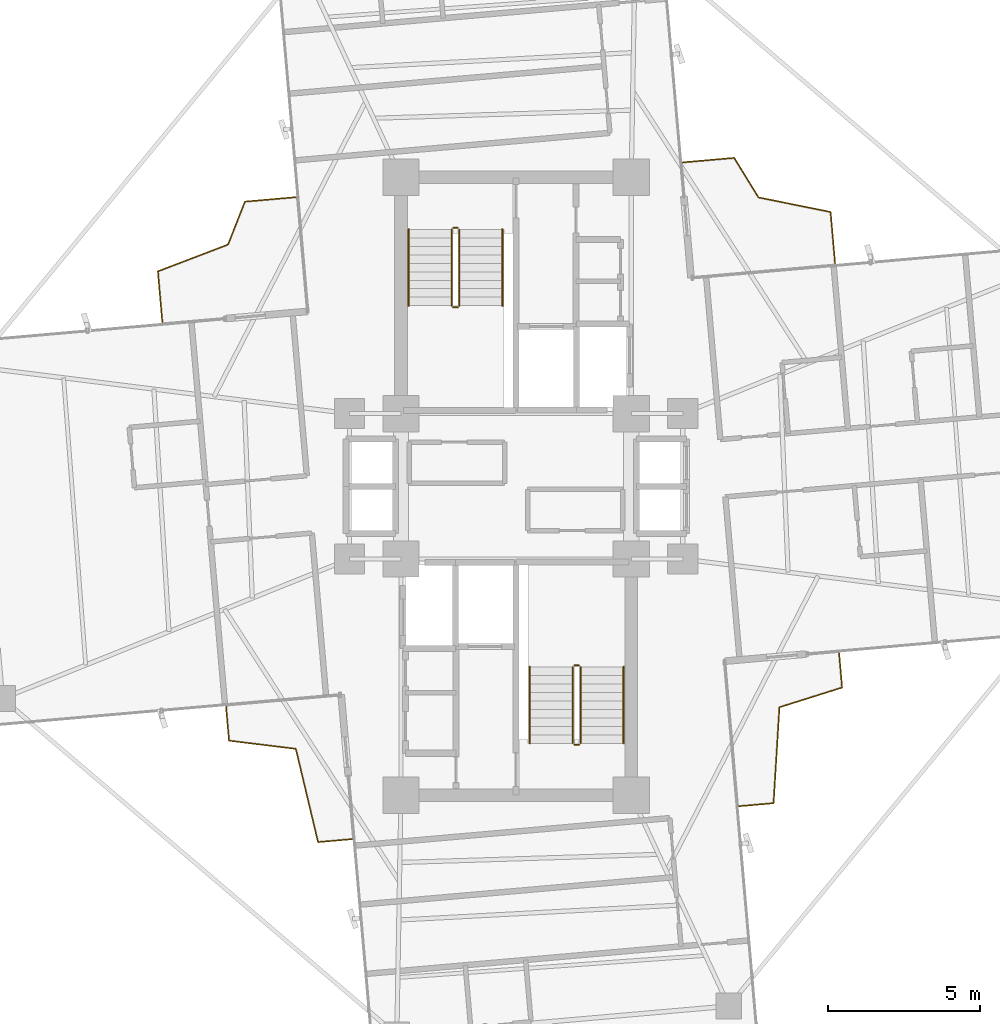
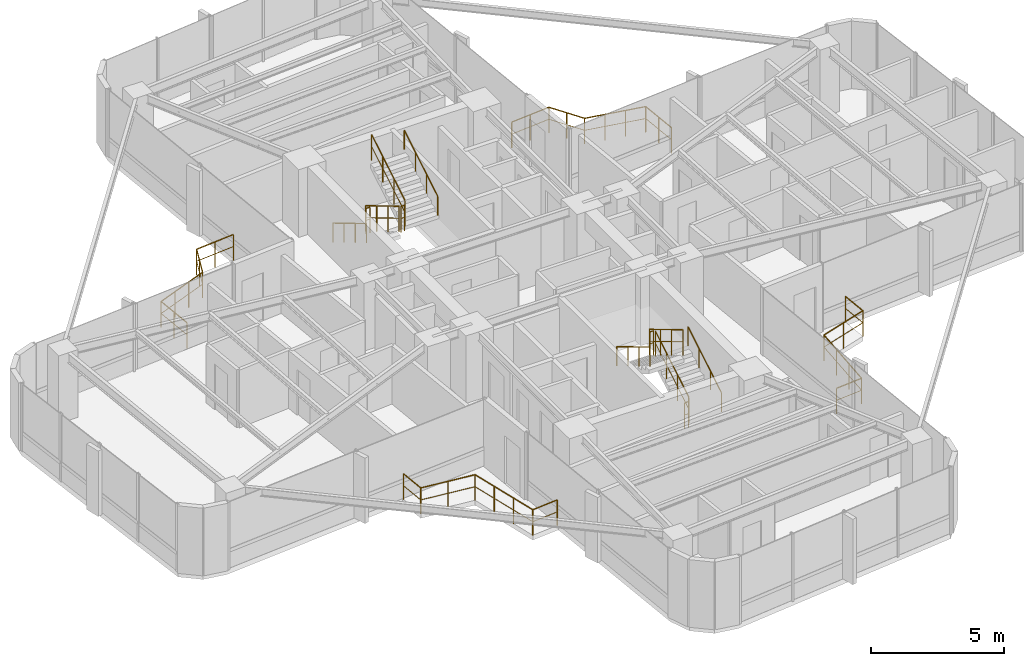
# One storey, part 24 of 24: 16 railings.
"""IFC4 building model written with IfcOpenShell, lengths in metres."""

import ifcopenshell
import ifcopenshell.guid

model = None  # the IFC model being written
_history = None  # IfcOwnerHistory: only IFC2X3 demands one
_inside = {}  # id of a spatial element -> (the spatial element, [elements in it])
_under = {}  # id of a project, library or spatial element -> (it, [spatial elements below it])
_declared = {}  # id of a project -> (the project, [libraries it declares])
_typed = {}  # id of a type object -> (the type object, [elements of that type])
_made_of = {}  # id of a material, layer set ... -> (it, [elements and type objects made of it])


def new_model(schema):
    """Start an empty IFC model of exactly this schema.

    Asked for "IFC4X3", IfcOpenShell would pick the latest addendum, in which some entities
    have other attributes; the version numbers below select the first issue.
    IFC2X3 requires an IfcOwnerHistory on every rooted entity: one is made here for all.
    """
    global model, _history
    if schema == "IFC4X3":
        model = ifcopenshell.file(schema_version=(4, 3, 0, 0))
    else:
        model = ifcopenshell.file(schema=schema)
    _inside.clear()
    _under.clear()
    _declared.clear()
    _typed.clear()
    _made_of.clear()
    _history = None
    if model.schema == "IFC2X3":
        org = make("IfcOrganization", Name="unknown")
        user = make(
            "IfcPersonAndOrganization",
            ThePerson=make("IfcPerson", FamilyName="unknown"),
            TheOrganization=org,
        )
        app = make(
            "IfcApplication",
            ApplicationDeveloper=org,
            Version="unknown",
            ApplicationFullName="unknown",
            ApplicationIdentifier="unknown",
        )
        _history = make(
            "IfcOwnerHistory",
            OwningUser=user,
            OwningApplication=app,
            ChangeAction="ADDED",
            CreationDate=0,
        )
    return model


def make(cls, **values):
    """One entity of the class cls with the attributes given. An attribute that is None is left unset."""
    return model.create_entity(
        cls, **{name: value for name, value in values.items() if value is not None}
    )


def rooted(cls, **values):
    """An entity with a GlobalId (a new one), such as an element, a storey or a relation."""
    return make(cls, GlobalId=ifcopenshell.guid.new(), OwnerHistory=_history, **values)


def si_unit(unit_type, name, prefix=None):
    """IfcSIUnit, for example si_unit("LENGTHUNIT", "METRE", prefix="MILLI")."""
    return make("IfcSIUnit", UnitType=unit_type, Prefix=prefix, Name=name)


def assignment(units):
    """IfcUnitAssignment: the units of a project."""
    return None if units is None else make("IfcUnitAssignment", Units=units)


def point(xyz):
    """IfcCartesianPoint."""
    return None if xyz is None else make("IfcCartesianPoint", Coordinates=xyz)


def direction(xyz):
    """IfcDirection."""
    return None if xyz is None else make("IfcDirection", DirectionRatios=xyz)


def frame(location, z_axis=None, x_axis=None):
    """IfcAxis2Placement3D, a coordinate frame: its origin and axes. An axis left out is left unset."""
    return make(
        "IfcAxis2Placement3D",
        Location=point(location),
        Axis=direction(z_axis),
        RefDirection=direction(x_axis),
    )


def frame_2d(location, x_axis=None):
    """IfcAxis2Placement2D, a coordinate frame in the plane: its origin and x axis."""
    return make(
        "IfcAxis2Placement2D", Location=point(location), RefDirection=direction(x_axis)
    )


def origin():
    """The frame at (0, 0, 0) with its axes left unset."""
    return frame((0.0, 0.0, 0.0))


def origin_2d():
    """The frame at (0, 0) in the plane with its x axis left unset."""
    return frame_2d((0.0, 0.0))


def place(relative_to, where):
    """IfcLocalPlacement: puts the frame where relative to a parent placement (None: the world)."""
    return make(
        "IfcLocalPlacement", PlacementRelTo=relative_to, RelativePlacement=where
    )


def context(
    kind, dimensions, precision=None, world=None, true_north=None, identifier=None
):
    """IfcGeometricRepresentationContext, for example the 3D "Model" context."""
    return make(
        "IfcGeometricRepresentationContext",
        ContextIdentifier=identifier,
        ContextType=kind,
        CoordinateSpaceDimension=dimensions,
        Precision=precision,
        WorldCoordinateSystem=world,
        TrueNorth=true_north,
    )


def subcontext(parent, identifier, kind, view, scale=None):
    """IfcGeometricRepresentationSubContext, for example "Body" below "Model"."""
    return make(
        "IfcGeometricRepresentationSubContext",
        ContextIdentifier=identifier,
        ContextType=kind,
        ParentContext=parent,
        TargetScale=scale,
        TargetView=view,
    )


def project(units=None, contexts=None):
    """IfcProject with its units and contexts."""
    return rooted(
        "IfcProject",
        Name="project",
        RepresentationContexts=contexts,
        UnitsInContext=assignment(units),
    )


def spatial(cls, under=None, at=None, **own):
    """A site, building, storey or space (cls), placed at a placement, below another one or the project."""
    s = rooted(cls, ObjectPlacement=at, **own)
    if under is not None:
        _under.setdefault(under.id(), (under, []))[1].append(s)
    return s


def profile(cls, at=None, kind="AREA", **sizes):
    """A parametric profile (cls). Its sizes go by their IFC names, for example OverallWidth=200.0."""
    return make(cls, ProfileType=kind, Position=at, **sizes)


def circle(**sizes):
    """IfcCircleProfileDef."""
    return profile("IfcCircleProfileDef", **sizes)


def extrude(swept, where, along, depth):
    """IfcExtrudedAreaSolid: the profile swept, set in the frame where, extruded along a direction by depth."""
    return make(
        "IfcExtrudedAreaSolid",
        SweptArea=swept,
        Position=where,
        ExtrudedDirection=direction(along),
        Depth=depth,
    )


def shape(context_of_items, identifier, shape_type, items):
    """IfcShapeRepresentation: the items that make up one representation, for example the "Body"."""
    return make(
        "IfcShapeRepresentation",
        ContextOfItems=context_of_items,
        RepresentationIdentifier=identifier,
        RepresentationType=shape_type,
        Items=items,
    )


def material(Name=None, Category=None):
    """IfcMaterial."""
    return make("IfcMaterial", Name=Name, Category=Category)


def made_of(thing, what):
    """Note that an element or type object is made of a material, layer set ...; save() writes the relation."""
    if what is not None:
        _made_of.setdefault(what.id(), (what, []))[1].append(thing)
    return thing


def type_object(cls, material=None, **own):
    """A type object (cls), such as IfcWallType, which elements share."""
    return made_of(rooted(cls, **own), material)


def element(
    cls,
    number,
    at=None,
    inside=None,
    cuts=None,
    type_object=None,
    material=None,
    context=None,
    identifier="Body",
    shape_type=None,
    held_by="IfcProductDefinitionShape",
    body=None,
    shapes=None,
    **own,
):
    """One element of the class cls, such as IfcWall. Its Tag is "e" and its number.

    at: its placement. inside: the storey or other place that contains it. cuts: it is an
    opening in that element (IfcRelVoidsElement). A single representation is given by context,
    identifier, shape_type and body (its items); several are given by shapes. held_by: the class
    of the entity that holds the representations. save() writes the other relations.
    """
    e = rooted(cls, Tag="e%d" % number, ObjectPlacement=at, **own)
    if body is not None:
        shapes = [shape(context, identifier, shape_type, body)]
    if shapes is not None:
        e.Representation = make(held_by, Representations=shapes)
    if inside is not None:
        _inside.setdefault(inside.id(), (inside, []))[1].append(e)
    if cuts is not None:
        rooted(
            "IfcRelVoidsElement", RelatingBuildingElement=cuts, RelatedOpeningElement=e
        )
    if type_object is not None:
        _typed.setdefault(type_object.id(), (type_object, []))[1].append(e)
    return made_of(e, material)


def aggregate(whole, parts):
    """IfcRelAggregates: a whole, such as a stair, and the parts it consists of."""
    return rooted("IfcRelAggregates", RelatingObject=whole, RelatedObjects=parts)


def save(model, path):
    """Write the relations noted so far, then the file.

    IfcRelAggregates (storeys below a building ...), IfcRelContainedInSpatialStructure (elements
    in a storey), IfcRelDefinesByType, IfcRelAssociatesMaterial and IfcRelDeclares: one each for
    every whole, place, type object, material and project.
    """
    for whole, parts in _under.values():
        aggregate(whole, parts)
    for where, things in _inside.values():
        rooted(
            "IfcRelContainedInSpatialStructure",
            RelatedElements=things,
            RelatingStructure=where,
        )
    for kind, things in _typed.values():
        rooted("IfcRelDefinesByType", RelatedObjects=things, RelatingType=kind)
    for what, things in _made_of.values():
        rooted("IfcRelAssociatesMaterial", RelatedObjects=things, RelatingMaterial=what)
    for by, libraries in _declared.values():
        rooted("IfcRelDeclares", RelatingContext=by, RelatedDefinitions=libraries)
    model.write(path)


model = new_model("IFC4")

# Units and contexts
model_context = context("Model", 3, precision=1e-05, world=origin(), true_north=direction((0.0, 1.0)))
body_context = subcontext(model_context, "Body", "Model", "MODEL_VIEW")
ifc_project = project(units=[si_unit("LENGTHUNIT", "METRE"), si_unit("AREAUNIT", "SQUARE_METRE"), si_unit("VOLUMEUNIT", "CUBIC_METRE"), si_unit("PLANEANGLEUNIT", "RADIAN"), si_unit("MASSUNIT", "GRAM", prefix="KILO")], contexts=[model_context])

# Site, building, storey
site_placement = place(None, origin())
site = spatial("IfcSite", under=ifc_project, at=site_placement, CompositionType="ELEMENT")
building_placement = place(site_placement, origin())
building = spatial("IfcBuilding", under=site, at=building_placement, Name="Sahyath Konkavel Grand Hotel", CompositionType="ELEMENT")
storey_placement = place(building_placement, frame((0.0, 0.0, 191.949951171875)))
storey = spatial("IfcBuildingStorey", under=building, at=storey_placement, Name="L53", CompositionType="ELEMENT", Elevation=191.949951171875)

# Railings
ifc_material_1 = material(Name="Anodised Bronze Aluminium", Category="aluminium")
railing_type_1 = type_object("IfcRailingType", Name="RLG-BALC-1200", PredefinedType="GUARDRAIL", material=ifc_material_1)
railing_1_placement = place(storey_placement, frame((10.528076171875, 7.355712890625, 0.0)))
element("IfcRailing", 1, at=railing_1_placement, inside=storey, type_object=railing_type_1, Name="L53 Winter-Garden Guard NE", PredefinedType="GUARDRAIL", context=body_context, shape_type="SweptSolid", body=[
    extrude(circle(Radius=0.02392578125, at=origin_2d()), frame((-0.000244140625, 0.001953125, 1.17578125), z_axis=(-0.087229138592, 0.996188274063, 0.0), x_axis=(-0.996188274063, -0.087229138592, 0.0)), (0.0, 0.0, 1.0), 1.700439453125),
    extrude(circle(Radius=0.01416015625, at=origin_2d()), frame((-0.000244140625, 0.001953125, 0.6240234375), z_axis=(-0.087229138592, 0.996188274063, 0.0), x_axis=(-0.996188274063, -0.087229138592, 0.0)), (0.0, 0.0, 1.0), 1.700439453125),
    extrude(circle(Radius=0.02392578125, at=origin_2d()), frame((-0.150634765625, 1.698486328125, 1.17578125), z_axis=(-0.980168425882, 0.198166235528, 0.0), x_axis=(-0.198166235528, -0.980168425882, 0.0)), (0.0, 0.0, 1.0), 2.423095703125),
    extrude(circle(Radius=0.01416015625, at=origin_2d()), frame((-0.150634765625, 1.698486328125, 0.6240234375), z_axis=(-0.980168425882, 0.198166235528, 0.0), x_axis=(-0.198166235528, -0.980168425882, 0.0)), (0.0, 0.0, 1.0), 2.423095703125),
    extrude(circle(Radius=0.02392578125, at=origin_2d()), frame((-2.528564453125, 2.1806640625, 1.17578125), z_axis=(-0.524070754687, 0.851674729038, 0.0), x_axis=(-0.851674729038, -0.524070754687, 0.0)), (0.0, 0.0, 1.0), 1.528076171875),
    extrude(circle(Radius=0.01416015625, at=origin_2d()), frame((-2.528564453125, 2.1806640625, 0.6240234375), z_axis=(-0.524070754687, 0.851674729038, 0.0), x_axis=(-0.851674729038, -0.524070754687, 0.0)), (0.0, 0.0, 1.0), 1.528076171875),
    extrude(circle(Radius=0.02392578125, at=origin_2d()), frame((-3.33251953125, 3.483642578125, 1.17578125), z_axis=(-0.996190452834, -0.087204252663, 0.0), x_axis=(0.087204252663, -0.996190452834, 0.0)), (0.0, 0.0, 1.0), 1.700927734375),
    extrude(circle(Radius=0.01416015625, at=origin_2d()), frame((-3.33251953125, 3.483642578125, 0.6240234375), z_axis=(-0.996190452834, -0.087204252663, 0.0), x_axis=(0.087204252663, -0.996190452834, 0.0)), (0.0, 0.0, 1.0), 1.700927734375),
    extrude(circle(Radius=0.02099609375, at=origin_2d()), origin(), (0.0, 0.0, 1.0), 1.15185546875),
    extrude(circle(Radius=0.02099609375, at=origin_2d()), frame((-0.07421875, 0.84912109375, 0.0)), (0.0, 0.0, 1.0), 1.15185546875),
    extrude(circle(Radius=0.02099609375, at=origin_2d()), frame((-0.148681640625, 1.697998046875, 0.0)), (0.0, 0.0, 1.0), 1.15185546875),
    extrude(circle(Radius=0.02099609375, at=origin_2d()), frame((-0.941650390625, 1.8583984375, 0.0)), (0.0, 0.0, 1.0), 1.15185546875),
    extrude(circle(Radius=0.02099609375, at=origin_2d()), frame((-1.734619140625, 2.0185546875, 0.0)), (0.0, 0.0, 1.0), 1.15185546875),
    extrude(circle(Radius=0.02099609375, at=origin_2d()), frame((-2.527587890625, 2.178955078125, 0.0)), (0.0, 0.0, 1.0), 1.15185546875),
    extrude(circle(Radius=0.02099609375, at=origin_2d()), frame((-2.92919921875, 2.83154296875, 0.0)), (0.0, 0.0, 1.0), 1.15185546875),
    extrude(circle(Radius=0.02099609375, at=origin_2d()), frame((-3.33056640625, 3.48388671875, 0.0)), (0.0, 0.0, 1.0), 1.15185546875),
    extrude(circle(Radius=0.02099609375, at=origin_2d()), frame((-4.1796875, 3.40966796875, 0.0)), (0.0, 0.0, 1.0), 1.15185546875),
    extrude(circle(Radius=0.02099609375, at=origin_2d()), frame((-5.029052734375, 3.335205078125, 0.0)), (0.0, 0.0, 1.0), 1.15185546875),
])
railing_2_placement = place(storey_placement, frame((-7.269287109375, 9.542724609375, 0.0)))
element("IfcRailing", 2, at=railing_2_placement, inside=storey, type_object=railing_type_1, Name="L53 Winter-Garden Guard NW", PredefinedType="GUARDRAIL", context=body_context, shape_type="SweptSolid", body=[
    extrude(circle(Radius=0.02392578125, at=origin_2d()), frame((-0.001953125, -0.000244140625, 1.17578125), z_axis=(-0.996200309945, -0.087091575165, 0.0), x_axis=(0.087091575165, -0.996200309945, 0.0)), (0.0, 0.0, 1.0), 1.68359375),
    extrude(circle(Radius=0.01416015625, at=origin_2d()), frame((-0.001953125, -0.000244140625, 0.6240234375), z_axis=(-0.996200309945, -0.087091575165, 0.0), x_axis=(0.087091575165, -0.996200309945, 0.0)), (0.0, 0.0, 1.0), 1.68359375),
    extrude(circle(Radius=0.02392578125, at=origin_2d()), frame((-1.681884765625, -0.14892578125, 1.17578125), z_axis=(-0.366410991224, -0.930453107636, 0.0), x_axis=(0.930453107636, -0.366410991224, 0.0)), (0.0, 0.0, 1.0), 1.519287109375),
    extrude(circle(Radius=0.01416015625, at=origin_2d()), frame((-1.681884765625, -0.14892578125, 0.6240234375), z_axis=(-0.366410991224, -0.930453107636, 0.0), x_axis=(0.930453107636, -0.366410991224, 0.0)), (0.0, 0.0, 1.0), 1.519287109375),
    extrude(circle(Radius=0.02392578125, at=origin_2d()), frame((-2.2412109375, -1.56494140625, 1.17578125), z_axis=(-0.934120450852, -0.356957957329, 0.0), x_axis=(0.356957957329, -0.934120450852, 0.0)), (0.0, 0.0, 1.0), 2.473876953125),
    extrude(circle(Radius=0.01416015625, at=origin_2d()), frame((-2.2412109375, -1.56494140625, 0.6240234375), z_axis=(-0.934120450852, -0.356957957329, 0.0), x_axis=(0.356957957329, -0.934120450852, 0.0)), (0.0, 0.0, 1.0), 2.473876953125),
    extrude(circle(Radius=0.02392578125, at=origin_2d()), frame((-4.5537109375, -2.45068359375, 1.17578125), z_axis=(0.087091575165, -0.996200309945, 0.0), x_axis=(0.996200309945, 0.087091575165, 0.0)), (0.0, 0.0, 1.0), 1.68359375),
    extrude(circle(Radius=0.01416015625, at=origin_2d()), frame((-4.5537109375, -2.45068359375, 0.6240234375), z_axis=(0.087091575165, -0.996200309945, 0.0), x_axis=(0.996200309945, 0.087091575165, 0.0)), (0.0, 0.0, 1.0), 1.68359375),
    extrude(circle(Radius=0.02099609375, at=origin_2d()), origin(), (0.0, 0.0, 1.0), 1.15185546875),
    extrude(circle(Radius=0.02099609375, at=origin_2d()), frame((-0.840576171875, -0.073486328125, 0.0)), (0.0, 0.0, 1.0), 1.15185546875),
    extrude(circle(Radius=0.02099609375, at=origin_2d()), frame((-1.68115234375, -0.14697265625, 0.0)), (0.0, 0.0, 1.0), 1.15185546875),
    extrude(circle(Radius=0.02099609375, at=origin_2d()), frame((-1.960205078125, -0.85546875, 0.0)), (0.0, 0.0, 1.0), 1.15185546875),
    extrude(circle(Radius=0.02099609375, at=origin_2d()), frame((-2.2392578125, -1.564208984375, 0.0)), (0.0, 0.0, 1.0), 1.15185546875),
    extrude(circle(Radius=0.02099609375, at=origin_2d()), frame((-3.0107421875, -1.859130859375, 0.0)), (0.0, 0.0, 1.0), 1.15185546875),
    extrude(circle(Radius=0.02099609375, at=origin_2d()), frame((-3.782470703125, -2.15380859375, 0.0)), (0.0, 0.0, 1.0), 1.15185546875),
    extrude(circle(Radius=0.02099609375, at=origin_2d()), frame((-4.553955078125, -2.44873046875, 0.0)), (0.0, 0.0, 1.0), 1.15185546875),
    extrude(circle(Radius=0.02099609375, at=origin_2d()), frame((-4.48046875, -3.289306640625, 0.0)), (0.0, 0.0, 1.0), 1.15185546875),
    extrude(circle(Radius=0.02099609375, at=origin_2d()), frame((-4.406982421875, -4.1298828125, 0.0)), (0.0, 0.0, 1.0), 1.15185546875),
])
railing_3_placement = place(storey_placement, frame((-9.57373046875, -7.272216796875, 0.0)))
element("IfcRailing", 3, at=railing_3_placement, inside=storey, type_object=railing_type_1, Name="L53 Winter-Garden Guard SW", PredefinedType="GUARDRAIL", context=body_context, shape_type="SweptSolid", body=[
    extrude(circle(Radius=0.02392578125, at=origin_2d()), frame((0.000244140625, -0.001953125, 1.17578125), z_axis=(0.087293240183, -0.996182659063, 0.0), x_axis=(0.996182659063, 0.087293240183, 0.0)), (0.0, 0.0, 1.0), 1.123046875),
    extrude(circle(Radius=0.01416015625, at=origin_2d()), frame((0.000244140625, -0.001953125, 0.6240234375), z_axis=(0.087293240183, -0.996182659063, 0.0), x_axis=(0.996182659063, 0.087293240183, 0.0)), (0.0, 0.0, 1.0), 1.123046875),
    extrude(circle(Radius=0.02392578125, at=origin_2d()), frame((0.100341796875, -1.123046875, 1.17578125), z_axis=(0.992537853271, -0.121936909192, 0.0), x_axis=(0.121936909192, 0.992537853271, 0.0)), (0.0, 0.0, 1.0), 2.21630859375),
    extrude(circle(Radius=0.01416015625, at=origin_2d()), frame((0.100341796875, -1.123046875, 0.6240234375), z_axis=(0.992537853271, -0.121936909192, 0.0), x_axis=(0.121936909192, 0.992537853271, 0.0)), (0.0, 0.0, 1.0), 2.21630859375),
    extrude(circle(Radius=0.02392578125, at=origin_2d()), frame((2.302734375, -1.3955078125, 1.17578125), z_axis=(0.231644868514, -0.972800418838, 0.0), x_axis=(0.972800418838, 0.231644868514, 0.0)), (0.0, 0.0, 1.0), 3.159912109375),
    extrude(circle(Radius=0.01416015625, at=origin_2d()), frame((2.302734375, -1.3955078125, 0.6240234375), z_axis=(0.231644868514, -0.972800418838, 0.0), x_axis=(0.972800418838, 0.231644868514, 0.0)), (0.0, 0.0, 1.0), 3.159912109375),
    extrude(circle(Radius=0.02392578125, at=origin_2d()), frame((3.037109375, -4.47119140625, 1.17578125), z_axis=(0.99618430911, 0.08727440795, 0.0), x_axis=(-0.08727440795, 0.99618430911, 0.0)), (0.0, 0.0, 1.0), 1.123291015625),
    extrude(circle(Radius=0.01416015625, at=origin_2d()), frame((3.037109375, -4.47119140625, 0.6240234375), z_axis=(0.99618430911, 0.08727440795, 0.0), x_axis=(-0.08727440795, 0.99618430911, 0.0)), (0.0, 0.0, 1.0), 1.123291015625),
    extrude(circle(Radius=0.02099609375, at=origin_2d()), origin(), (0.0, 0.0, 1.0), 1.15185546875),
    extrude(circle(Radius=0.02099609375, at=origin_2d()), frame((0.098388671875, -1.122802734375, 0.0)), (0.0, 0.0, 1.0), 1.15185546875),
    extrude(circle(Radius=0.02099609375, at=origin_2d()), frame((1.2001953125, -1.25830078125, 0.0)), (0.0, 0.0, 1.0), 1.15185546875),
    extrude(circle(Radius=0.02099609375, at=origin_2d()), frame((2.30224609375, -1.3935546875, 0.0)), (0.0, 0.0, 1.0), 1.15185546875),
    extrude(circle(Radius=0.02099609375, at=origin_2d()), frame((2.546630859375, -2.41943359375, 0.0)), (0.0, 0.0, 1.0), 1.15185546875),
    extrude(circle(Radius=0.02099609375, at=origin_2d()), frame((2.790771484375, -3.445556640625, 0.0)), (0.0, 0.0, 1.0), 1.15185546875),
    extrude(circle(Radius=0.02099609375, at=origin_2d()), frame((3.03515625, -4.471435546875, 0.0)), (0.0, 0.0, 1.0), 1.15185546875),
    extrude(circle(Radius=0.02099609375, at=origin_2d()), frame((4.158203125, -4.373046875, 0.0)), (0.0, 0.0, 1.0), 1.15185546875),
])
railing_4_placement = place(storey_placement, frame((7.3583984375, -10.558837890625, 0.0)))
element("IfcRailing", 4, at=railing_4_placement, inside=storey, type_object=railing_type_1, Name="L53 Winter-Garden Guard SE", PredefinedType="GUARDRAIL", context=body_context, shape_type="SweptSolid", body=[
    extrude(circle(Radius=0.02392578125, at=origin_2d()), frame((0.001953125, 0.000244140625, 1.17578125), z_axis=(0.996186768077, 0.087246335791, 0.0), x_axis=(-0.087246335791, 0.996186768077, 0.0)), (0.0, 0.0, 1.0), 1.140380859375),
    extrude(circle(Radius=0.01416015625, at=origin_2d()), frame((0.001953125, 0.000244140625, 0.6240234375), z_axis=(0.996186768077, 0.087246335791, 0.0), x_axis=(-0.087246335791, 0.996186768077, 0.0)), (0.0, 0.0, 1.0), 1.140380859375),
    extrude(circle(Radius=0.02392578125, at=origin_2d()), frame((1.14013671875, 0.101806640625, 1.17578125), z_axis=(0.06088782222, 0.998144615327, 0.0), x_axis=(-0.998144615327, 0.06088782222, 0.0)), (0.0, 0.0, 1.0), 3.167724609375),
    extrude(circle(Radius=0.01416015625, at=origin_2d()), frame((1.14013671875, 0.101806640625, 0.6240234375), z_axis=(0.06088782222, 0.998144615327, 0.0), x_axis=(-0.998144615327, 0.06088782222, 0.0)), (0.0, 0.0, 1.0), 3.167724609375),
    extrude(circle(Radius=0.02392578125, at=origin_2d()), frame((1.335205078125, 3.26611328125, 1.17578125), z_axis=(0.953842680658, 0.300306744105, 0.0), x_axis=(-0.300306744105, 0.953842680658, 0.0)), (0.0, 0.0, 1.0), 2.164306640625),
    extrude(circle(Radius=0.01416015625, at=origin_2d()), frame((1.335205078125, 3.26611328125, 0.6240234375), z_axis=(0.953842680658, 0.300306744105, 0.0), x_axis=(-0.300306744105, 0.953842680658, 0.0)), (0.0, 0.0, 1.0), 2.164306640625),
    extrude(circle(Radius=0.02392578125, at=origin_2d()), frame((3.401123046875, 3.918701171875, 1.17578125), z_axis=(-0.087016145531, 0.99620690141, 0.0), x_axis=(-0.99620690141, -0.087016145531, 0.0)), (0.0, 0.0, 1.0), 1.140625),
    extrude(circle(Radius=0.01416015625, at=origin_2d()), frame((3.401123046875, 3.918701171875, 0.6240234375), z_axis=(-0.087016145531, 0.99620690141, 0.0), x_axis=(-0.99620690141, -0.087016145531, 0.0)), (0.0, 0.0, 1.0), 1.140625),
    extrude(circle(Radius=0.02099609375, at=origin_2d()), origin(), (0.0, 0.0, 1.0), 1.15185546875),
    extrude(circle(Radius=0.02099609375, at=origin_2d()), frame((1.14013671875, 0.099853515625, 0.0)), (0.0, 0.0, 1.0), 1.15185546875),
    extrude(circle(Radius=0.02099609375, at=origin_2d()), frame((1.20458984375, 1.155029296875, 0.0)), (0.0, 0.0, 1.0), 1.15185546875),
    extrude(circle(Radius=0.02099609375, at=origin_2d()), frame((1.268798828125, 2.21044921875, 0.0)), (0.0, 0.0, 1.0), 1.15185546875),
    extrude(circle(Radius=0.02099609375, at=origin_2d()), frame((1.333251953125, 3.265625, 0.0)), (0.0, 0.0, 1.0), 1.15185546875),
    extrude(circle(Radius=0.02099609375, at=origin_2d()), frame((2.3671875, 3.59130859375, 0.0)), (0.0, 0.0, 1.0), 1.15185546875),
    extrude(circle(Radius=0.02099609375, at=origin_2d()), frame((3.4013671875, 3.916748046875, 0.0)), (0.0, 0.0, 1.0), 1.15185546875),
    extrude(circle(Radius=0.02099609375, at=origin_2d()), frame((3.3017578125, 5.05712890625, 0.0)), (0.0, 0.0, 1.0), 1.15185546875),
])
ifc_material_2 = material(Name="Steel E350", Category="steel")
railing_type_2 = type_object("IfcRailingType", Name="RLG-STAIR-GRD", PredefinedType="GUARDRAIL", material=ifc_material_2)
railing_5_placement = place(storey_placement, frame((-2.1298828125, 8.47998046875, 0.16748046875)))
element("IfcRailing", 5, at=railing_5_placement, inside=storey, type_object=railing_type_2, Name="L53 ST-1 stair guard 1", PredefinedType="GUARDRAIL", context=body_context, shape_type="SweptSolid", body=[
    extrude(circle(Radius=0.02392578125, at=origin_2d()), frame((0.0, -0.001708984375, 1.177001953125), z_axis=(0.0, -0.858159760407, 0.513382728203), x_axis=(1.0, 0.0, 0.0)), (0.0, 0.0, 1.0), 2.9326171875),
    extrude(circle(Radius=0.01416015625, at=origin_2d()), frame((0.0, -0.001708984375, 0.625), z_axis=(0.0, -0.858159760407, 0.513382728203), x_axis=(1.0, 0.0, 0.0)), (0.0, 0.0, 1.0), 2.9326171875),
    extrude(circle(Radius=0.02099609375, at=origin_2d()), origin(), (0.0, 0.0, 1.0), 1.15185546875),
    extrude(circle(Radius=0.02099609375, at=origin_2d()), frame((0.0, -0.840087890625, 0.50244140625)), (0.0, 0.0, 1.0), 1.15185546875),
    extrude(circle(Radius=0.02099609375, at=origin_2d()), frame((0.0, -1.679931640625, 1.005126953125)), (0.0, 0.0, 1.0), 1.15185546875),
    extrude(circle(Radius=0.02099609375, at=origin_2d()), frame((0.0, -2.52001953125, 1.507568359375)), (0.0, 0.0, 1.0), 1.15185546875),
])
railing_6_placement = place(storey_placement, frame((-2.080078125, 5.909912109375, 1.675048828125)))
element("IfcRailing", 6, at=railing_6_placement, inside=storey, type_object=railing_type_2, Name="L53 ST-1 stair guard 2", PredefinedType="GUARDRAIL", context=body_context, shape_type="SweptSolid", body=[
    extrude(circle(Radius=0.02392578125, at=origin_2d()), frame((0.001953125, 0.0, 1.17578125), z_axis=(1.0, 0.0, 0.0), x_axis=(0.0, 1.0, 0.0)), (0.0, 0.0, 1.0), 0.15625),
    extrude(circle(Radius=0.01416015625, at=origin_2d()), frame((0.001953125, 0.0, 0.6240234375), z_axis=(1.0, 0.0, 0.0), x_axis=(0.0, 1.0, 0.0)), (0.0, 0.0, 1.0), 0.15625),
    extrude(circle(Radius=0.02099609375, at=origin_2d()), origin(), (0.0, 0.0, 1.0), 1.15185546875),
    extrude(circle(Radius=0.02099609375, at=origin_2d()), frame((0.16015625, 0.0, 0.0)), (0.0, 0.0, 1.0), 1.15185546875),
])
railing_7_placement = place(storey_placement, frame((-1.8701171875, 5.9599609375, 1.842529296875)))
element("IfcRailing", 7, at=railing_7_placement, inside=storey, type_object=railing_type_2, Name="L53 ST-1 stair guard 3", PredefinedType="GUARDRAIL", context=body_context, shape_type="SweptSolid", body=[
    extrude(circle(Radius=0.02392578125, at=origin_2d()), frame((0.0, 0.001708984375, 1.177001953125), z_axis=(0.0, 0.858159760407, 0.513382728203), x_axis=(-1.0, 0.0, 0.0)), (0.0, 0.0, 1.0), 2.9326171875),
    extrude(circle(Radius=0.01416015625, at=origin_2d()), frame((0.0, 0.001708984375, 0.625), z_axis=(0.0, 0.858159760407, 0.513382728203), x_axis=(-1.0, 0.0, 0.0)), (0.0, 0.0, 1.0), 2.9326171875),
    extrude(circle(Radius=0.02099609375, at=origin_2d()), origin(), (0.0, 0.0, 1.0), 1.15185546875),
    extrude(circle(Radius=0.02099609375, at=origin_2d()), frame((0.0, 0.840087890625, 0.50244140625)), (0.0, 0.0, 1.0), 1.15185546875),
    extrude(circle(Radius=0.02099609375, at=origin_2d()), frame((0.0, 1.679931640625, 1.005126953125)), (0.0, 0.0, 1.0), 1.15185546875),
    extrude(circle(Radius=0.02099609375, at=origin_2d()), frame((0.0, 2.52001953125, 1.507568359375)), (0.0, 0.0, 1.0), 1.15185546875),
])
railing_8_placement = place(storey_placement, frame((-2.080078125, 8.530029296875, 0.0)))
element("IfcRailing", 8, at=railing_8_placement, inside=storey, type_object=railing_type_2, Name="L53 ST-1 stair guard 4", PredefinedType="GUARDRAIL", context=body_context, shape_type="SweptSolid", body=[
    extrude(circle(Radius=0.02392578125, at=origin_2d()), frame((0.001953125, 0.0, 1.17578125), z_axis=(1.0, 0.0, 0.0), x_axis=(0.0, 1.0, 0.0)), (0.0, 0.0, 1.0), 0.15625),
    extrude(circle(Radius=0.01416015625, at=origin_2d()), frame((0.001953125, 0.0, 0.6240234375), z_axis=(1.0, 0.0, 0.0), x_axis=(0.0, 1.0, 0.0)), (0.0, 0.0, 1.0), 0.15625),
    extrude(circle(Radius=0.02099609375, at=origin_2d()), origin(), (0.0, 0.0, 1.0), 1.15185546875),
    extrude(circle(Radius=0.02099609375, at=origin_2d()), frame((0.16015625, 0.0, 0.0)), (0.0, 0.0, 1.0), 1.15185546875),
])
railing_9_placement = place(storey_placement, frame((2.1298828125, -8.47998046875, 0.16748046875)))
element("IfcRailing", 9, at=railing_9_placement, inside=storey, type_object=railing_type_2, Name="L53 ST-2 stair guard 1", PredefinedType="GUARDRAIL", context=body_context, shape_type="SweptSolid", body=[
    extrude(circle(Radius=0.02392578125, at=origin_2d()), frame((0.0, 0.001708984375, 1.177001953125), z_axis=(0.0, 0.858159760407, 0.513382728203), x_axis=(-1.0, 0.0, 0.0)), (0.0, 0.0, 1.0), 2.9326171875),
    extrude(circle(Radius=0.01416015625, at=origin_2d()), frame((0.0, 0.001708984375, 0.625), z_axis=(0.0, 0.858159760407, 0.513382728203), x_axis=(-1.0, 0.0, 0.0)), (0.0, 0.0, 1.0), 2.9326171875),
    extrude(circle(Radius=0.02099609375, at=origin_2d()), origin(), (0.0, 0.0, 1.0), 1.15185546875),
    extrude(circle(Radius=0.02099609375, at=origin_2d()), frame((0.0, 0.840087890625, 0.50244140625)), (0.0, 0.0, 1.0), 1.15185546875),
    extrude(circle(Radius=0.02099609375, at=origin_2d()), frame((0.0, 1.679931640625, 1.005126953125)), (0.0, 0.0, 1.0), 1.15185546875),
    extrude(circle(Radius=0.02099609375, at=origin_2d()), frame((0.0, 2.52001953125, 1.507568359375)), (0.0, 0.0, 1.0), 1.15185546875),
])
railing_10_placement = place(storey_placement, frame((2.080078125, -5.909912109375, 1.675048828125)))
element("IfcRailing", 10, at=railing_10_placement, inside=storey, type_object=railing_type_2, Name="L53 ST-2 stair guard 2", PredefinedType="GUARDRAIL", context=body_context, shape_type="SweptSolid", body=[
    extrude(circle(Radius=0.02392578125, at=origin_2d()), frame((-0.001953125, 0.0, 1.17578125), z_axis=(-1.0, 0.0, 0.0), x_axis=(0.0, -1.0, 0.0)), (0.0, 0.0, 1.0), 0.15625),
    extrude(circle(Radius=0.01416015625, at=origin_2d()), frame((-0.001953125, 0.0, 0.6240234375), z_axis=(-1.0, 0.0, 0.0), x_axis=(0.0, -1.0, 0.0)), (0.0, 0.0, 1.0), 0.15625),
    extrude(circle(Radius=0.02099609375, at=origin_2d()), origin(), (0.0, 0.0, 1.0), 1.15185546875),
    extrude(circle(Radius=0.02099609375, at=origin_2d()), frame((-0.16015625, 0.0, 0.0)), (0.0, 0.0, 1.0), 1.15185546875),
])
railing_11_placement = place(storey_placement, frame((1.8701171875, -5.9599609375, 1.842529296875)))
element("IfcRailing", 11, at=railing_11_placement, inside=storey, type_object=railing_type_2, Name="L53 ST-2 stair guard 3", PredefinedType="GUARDRAIL", context=body_context, shape_type="SweptSolid", body=[
    extrude(circle(Radius=0.02392578125, at=origin_2d()), frame((0.0, -0.001708984375, 1.177001953125), z_axis=(0.0, -0.858159760407, 0.513382728203), x_axis=(1.0, 0.0, 0.0)), (0.0, 0.0, 1.0), 2.9326171875),
    extrude(circle(Radius=0.01416015625, at=origin_2d()), frame((0.0, -0.001708984375, 0.625), z_axis=(0.0, -0.858159760407, 0.513382728203), x_axis=(1.0, 0.0, 0.0)), (0.0, 0.0, 1.0), 2.9326171875),
    extrude(circle(Radius=0.02099609375, at=origin_2d()), origin(), (0.0, 0.0, 1.0), 1.15185546875),
    extrude(circle(Radius=0.02099609375, at=origin_2d()), frame((0.0, -0.840087890625, 0.50244140625)), (0.0, 0.0, 1.0), 1.15185546875),
    extrude(circle(Radius=0.02099609375, at=origin_2d()), frame((0.0, -1.679931640625, 1.005126953125)), (0.0, 0.0, 1.0), 1.15185546875),
    extrude(circle(Radius=0.02099609375, at=origin_2d()), frame((0.0, -2.52001953125, 1.507568359375)), (0.0, 0.0, 1.0), 1.15185546875),
])
railing_12_placement = place(storey_placement, frame((2.080078125, -8.530029296875, 0.0)))
element("IfcRailing", 12, at=railing_12_placement, inside=storey, type_object=railing_type_2, Name="L53 ST-2 stair guard 4", PredefinedType="GUARDRAIL", context=body_context, shape_type="SweptSolid", body=[
    extrude(circle(Radius=0.02392578125, at=origin_2d()), frame((-0.001953125, 0.0, 1.17578125), z_axis=(-1.0, 0.0, 0.0), x_axis=(0.0, -1.0, 0.0)), (0.0, 0.0, 1.0), 0.15625),
    extrude(circle(Radius=0.01416015625, at=origin_2d()), frame((-0.001953125, 0.0, 0.6240234375), z_axis=(-1.0, 0.0, 0.0), x_axis=(0.0, -1.0, 0.0)), (0.0, 0.0, 1.0), 0.15625),
    extrude(circle(Radius=0.02099609375, at=origin_2d()), origin(), (0.0, 0.0, 1.0), 1.15185546875),
    extrude(circle(Radius=0.02099609375, at=origin_2d()), frame((-0.16015625, 0.0, 0.0)), (0.0, 0.0, 1.0), 1.15185546875),
])
railing_type_3 = type_object("IfcRailingType", Name="RLG-STAIR-HND", PredefinedType="HANDRAIL", material=ifc_material_1)
railing_13_placement = place(storey_placement, frame((-3.550048828125, 8.47998046875, 0.16748046875)))
element("IfcRailing", 13, at=railing_13_placement, inside=storey, type_object=railing_type_3, Name="L53 ST-1 stair handrail 1", PredefinedType="HANDRAIL", context=body_context, shape_type="SweptSolid", body=[
    extrude(circle(Radius=0.02392578125, at=origin_2d()), frame((0.0, -0.001708984375, 0.876953125), z_axis=(0.0, -0.858159760407, 0.513382728203), x_axis=(1.0, 0.0, 0.0)), (0.0, 0.0, 1.0), 2.9326171875),
    extrude(circle(Radius=0.02099609375, at=origin_2d()), origin(), (0.0, 0.0, 1.0), 0.851806640625),
    extrude(circle(Radius=0.02099609375, at=origin_2d()), frame((0.0, -0.840087890625, 0.50244140625)), (0.0, 0.0, 1.0), 0.851806640625),
    extrude(circle(Radius=0.02099609375, at=origin_2d()), frame((0.0, -1.679931640625, 1.005126953125)), (0.0, 0.0, 1.0), 0.851806640625),
    extrude(circle(Radius=0.02099609375, at=origin_2d()), frame((0.0, -2.52001953125, 1.507568359375)), (0.0, 0.0, 1.0), 0.851806640625),
])
for number, where, name in (
    (14, (-0.449951171875, 5.9599609375, 1.842529296875), "L53 ST-1 stair handrail 2"),
    (15, (3.550048828125, -8.47998046875, 0.16748046875), "L53 ST-2 stair handrail 1"),
):
    element("IfcRailing", number, at=place(storey_placement, frame(where)), inside=storey, type_object=railing_type_3, Name=name, PredefinedType="HANDRAIL", context=body_context, shape_type="SweptSolid", body=[
        extrude(circle(Radius=0.02392578125, at=origin_2d()), frame((0.0, 0.001708984375, 0.876953125), z_axis=(0.0, 0.858159760407, 0.513382728203), x_axis=(-1.0, 0.0, 0.0)), (0.0, 0.0, 1.0), 2.9326171875),
        extrude(circle(Radius=0.02099609375, at=origin_2d()), origin(), (0.0, 0.0, 1.0), 0.851806640625),
        extrude(circle(Radius=0.02099609375, at=origin_2d()), frame((0.0, 0.840087890625, 0.50244140625)), (0.0, 0.0, 1.0), 0.851806640625),
        extrude(circle(Radius=0.02099609375, at=origin_2d()), frame((0.0, 1.679931640625, 1.005126953125)), (0.0, 0.0, 1.0), 0.851806640625),
        extrude(circle(Radius=0.02099609375, at=origin_2d()), frame((0.0, 2.52001953125, 1.507568359375)), (0.0, 0.0, 1.0), 0.851806640625),
    ])
railing_14_placement = place(storey_placement, frame((0.449951171875, -5.9599609375, 1.842529296875)))
element("IfcRailing", 16, at=railing_14_placement, inside=storey, type_object=railing_type_3, Name="L53 ST-2 stair handrail 2", PredefinedType="HANDRAIL", context=body_context, shape_type="SweptSolid", body=[
    extrude(circle(Radius=0.02392578125, at=origin_2d()), frame((0.0, -0.001708984375, 0.876953125), z_axis=(0.0, -0.858159760407, 0.513382728203), x_axis=(1.0, 0.0, 0.0)), (0.0, 0.0, 1.0), 2.9326171875),
    extrude(circle(Radius=0.02099609375, at=origin_2d()), origin(), (0.0, 0.0, 1.0), 0.851806640625),
    extrude(circle(Radius=0.02099609375, at=origin_2d()), frame((0.0, -0.840087890625, 0.50244140625)), (0.0, 0.0, 1.0), 0.851806640625),
    extrude(circle(Radius=0.02099609375, at=origin_2d()), frame((0.0, -1.679931640625, 1.005126953125)), (0.0, 0.0, 1.0), 0.851806640625),
    extrude(circle(Radius=0.02099609375, at=origin_2d()), frame((0.0, -2.52001953125, 1.507568359375)), (0.0, 0.0, 1.0), 0.851806640625),
])

save(model, "model.ifc")
